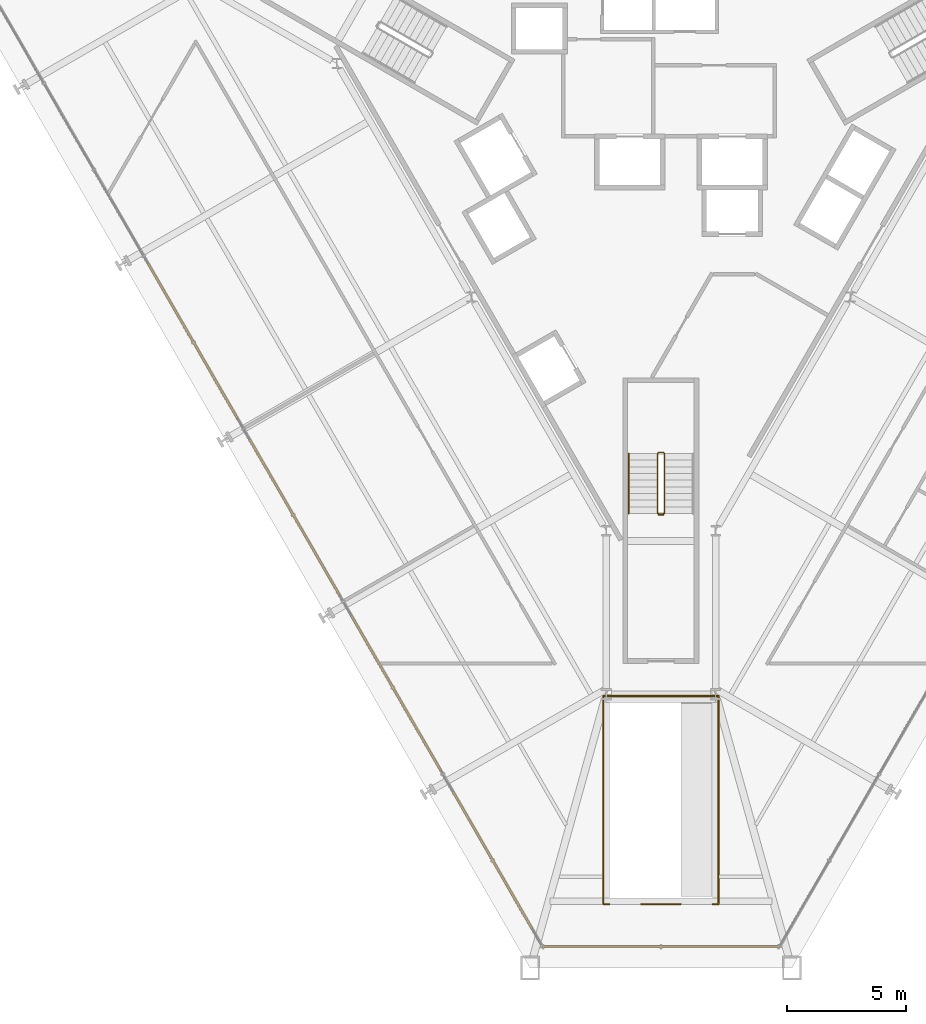
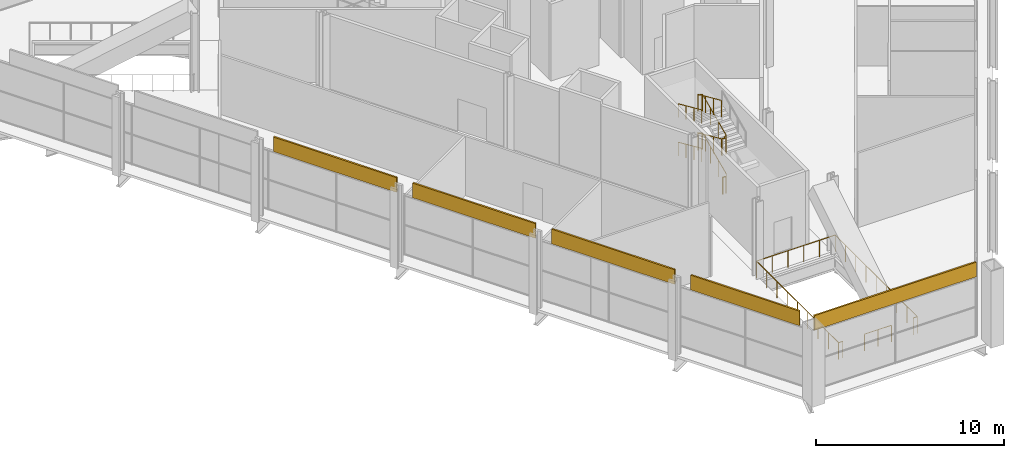
# One storey, part 16 of 20: 7 railings, 5 coverings.
"""IFC4 building model written with IfcOpenShell, lengths in metres."""

from ifc_helpers import new_model, si_unit, direction, frame, origin, origin_2d, place, context, subcontext, project, spatial, rectangle, circle, extrude, material, layer, layer_set, type_object, element, save


model = new_model("IFC4")

# Units and contexts
model_context = context("Model", 3, precision=1e-05, world=origin(), true_north=direction((0.0, 1.0)))
body_context = subcontext(model_context, "Body", "Model", "MODEL_VIEW")
ifc_project = project(units=[si_unit("LENGTHUNIT", "METRE"), si_unit("AREAUNIT", "SQUARE_METRE"), si_unit("VOLUMEUNIT", "CUBIC_METRE"), si_unit("PLANEANGLEUNIT", "RADIAN"), si_unit("MASSUNIT", "GRAM", prefix="KILO")], contexts=[model_context])

# Site, building, storey
site_placement = place(None, origin())
site = spatial("IfcSite", under=ifc_project, at=site_placement, CompositionType="ELEMENT")
building_placement = place(site_placement, origin())
building = spatial("IfcBuilding", under=site, at=building_placement, Name="Verrane Prism Tower", CompositionType="ELEMENT")
storey_placement = place(building_placement, frame((0.0, 0.0, 17.39990234375)))
storey = spatial("IfcBuildingStorey", under=building, at=storey_placement, Name="L02", CompositionType="ELEMENT", Elevation=17.39990234375)

# Coverings
ifc_material_1 = material(Name="Limestone cladding", Category="masonry")
ifc_layer = layer(ifc_material_1, 0.10009765625)
ifc_layer_set = layer_set([ifc_layer], Name="FA-100 stone fascia panel")
covering_type = type_object("IfcCoveringType", Name="FA-100 stone fascia panel", PredefinedType="CLADDING", material=ifc_layer_set)
covering_1_placement = place(storey_placement, frame((-19.6904296875, -6.43505859375, 3.89013671875), z_axis=(0.0, 0.0, 1.0), x_axis=(0.500000118955, -0.866025335106, 0.0)))
element("IfcCovering", 1, at=covering_1_placement, inside=storey, type_object=covering_type, Name="Stone fascia L02 4.3", PredefinedType="CLADDING", context=body_context, shape_type="SweptSolid", body=[
    extrude(rectangle(XDim=7.55712890625, YDim=0.10009765625, at=origin_2d()), origin(), (0.0, 0.0, 1.0), 0.949951171875),
])
covering_2_placement = place(storey_placement, frame((-15.415283203125, -13.83984375, 3.89013671875), z_axis=(0.0, 0.0, 1.0), x_axis=(0.500000118955, -0.866025335106, 0.0)))
element("IfcCovering", 2, at=covering_2_placement, inside=storey, type_object=covering_type, Name="Stone fascia L02 4.4", PredefinedType="CLADDING", context=body_context, shape_type="SweptSolid", body=[
    extrude(rectangle(XDim=7.543701171875, YDim=0.10009765625, at=origin_2d()), origin(), (0.0, 0.0, 1.0), 0.949951171875),
])
covering_3_placement = place(storey_placement, frame((-11.14013671875, -21.244873046875, 3.89013671875), z_axis=(0.0, 0.0, 1.0), x_axis=(0.500000118955, -0.866025335106, 0.0)))
element("IfcCovering", 3, at=covering_3_placement, inside=storey, type_object=covering_type, Name="Stone fascia L02 4.5", PredefinedType="CLADDING", context=body_context, shape_type="SweptSolid", body=[
    extrude(rectangle(XDim=7.55712890625, YDim=0.10009765625, at=origin_2d()), origin(), (0.0, 0.0, 1.0), 0.949951171875),
])
covering_4_placement = place(storey_placement, frame((-7.081787109375, -28.27392578125, 3.89013671875), z_axis=(0.0, 0.0, 1.0), x_axis=(0.500000118955, -0.866025335106, 0.0)))
element("IfcCovering", 4, at=covering_4_placement, inside=storey, type_object=covering_type, Name="Stone fascia L02 4.6", PredefinedType="CLADDING", context=body_context, shape_type="SweptSolid", body=[
    extrude(rectangle(XDim=6.67578125, YDim=0.10009765625, at=origin_2d()), origin(), (0.0, 0.0, 1.0), 0.949951171875),
])
covering_5_placement = place(storey_placement, frame((0.0, -31.913818359375, 3.89013671875), z_axis=(0.0, 0.0, 1.0), x_axis=(1.0, 0.0, 0.0)))
element("IfcCovering", 5, at=covering_5_placement, inside=storey, type_object=covering_type, Name="Stone fascia L02 5.1", PredefinedType="CLADDING", context=body_context, shape_type="SweptSolid", body=[
    extrude(rectangle(XDim=9.960693359375, YDim=0.10009765625, at=origin_2d()), origin(), (0.0, 0.0, 1.0), 0.949951171875),
])

# Railings
ifc_material_2 = material(Name="Stainless steel and laminated glass", Category="steel")
railing_type_1 = type_object("IfcRailingType", Name="GR-1100 glass and steel guard", PredefinedType="GUARDRAIL", material=ifc_material_2)
railing_1_placement = place(storey_placement, frame((-2.419921875, -21.3701171875, 0.0)))
element("IfcRailing", 6, at=railing_1_placement, inside=storey, type_object=railing_type_1, Name="Guard EW3 L02 1", PredefinedType="GUARDRAIL", context=body_context, shape_type="SweptSolid", body=[
    extrude(circle(Radius=0.02392578125, at=origin_2d()), frame((0.0, 0.0, 1.076171875), z_axis=(0.0, -1.0, 0.0), x_axis=(1.0, 0.0, 0.0)), (0.0, 0.0, 1.0), 8.75),
    extrude(circle(Radius=0.02392578125, at=origin_2d()), frame((0.0, -8.75, 1.076171875), z_axis=(1.0, 0.0, 0.0), x_axis=(0.0, 1.0, 0.0)), (0.0, 0.0, 1.0), 0.25),
    extrude(circle(Radius=0.02099609375, at=origin_2d()), origin(), (0.0, 0.0, 1.0), 1.052001953125),
    extrude(circle(Radius=0.02099609375, at=origin_2d()), frame((0.0, -1.09375, 0.0)), (0.0, 0.0, 1.0), 1.052001953125),
    extrude(circle(Radius=0.02099609375, at=origin_2d()), frame((0.0, -2.1875, 0.0)), (0.0, 0.0, 1.0), 1.052001953125),
    extrude(circle(Radius=0.02099609375, at=origin_2d()), frame((0.0, -3.28125, 0.0)), (0.0, 0.0, 1.0), 1.052001953125),
    extrude(circle(Radius=0.02099609375, at=origin_2d()), frame((0.0, -4.375, 0.0)), (0.0, 0.0, 1.0), 1.052001953125),
    extrude(circle(Radius=0.02099609375, at=origin_2d()), frame((0.0, -5.46875, 0.0)), (0.0, 0.0, 1.0), 1.052001953125),
    extrude(circle(Radius=0.02099609375, at=origin_2d()), frame((0.0, -6.5625, 0.0)), (0.0, 0.0, 1.0), 1.052001953125),
    extrude(circle(Radius=0.02099609375, at=origin_2d()), frame((0.0, -7.65625, 0.0)), (0.0, 0.0, 1.0), 1.052001953125),
    extrude(circle(Radius=0.02099609375, at=origin_2d()), frame((0.0, -8.75, 0.0)), (0.0, 0.0, 1.0), 1.052001953125),
    extrude(circle(Radius=0.02099609375, at=origin_2d()), frame((0.25, -8.75, 0.0)), (0.0, 0.0, 1.0), 1.052001953125),
])
railing_2_placement = place(storey_placement, frame((-0.830078125, -30.1201171875, 0.0)))
element("IfcRailing", 7, at=railing_2_placement, inside=storey, type_object=railing_type_1, Name="Guard EW3 L02 2", PredefinedType="GUARDRAIL", context=body_context, shape_type="SweptSolid", body=[
    extrude(circle(Radius=0.02392578125, at=origin_2d()), frame((0.0, 0.0, 1.076171875), z_axis=(1.0, 0.0, 0.0), x_axis=(0.0, 1.0, 0.0)), (0.0, 0.0, 1.0), 1.66015625),
    extrude(circle(Radius=0.02099609375, at=origin_2d()), origin(), (0.0, 0.0, 1.0), 1.052001953125),
    extrude(circle(Radius=0.02099609375, at=origin_2d()), frame((0.830078125, 0.0, 0.0)), (0.0, 0.0, 1.0), 1.052001953125),
    extrude(circle(Radius=0.02099609375, at=origin_2d()), frame((1.66015625, 0.0, 0.0)), (0.0, 0.0, 1.0), 1.052001953125),
])
railing_3_placement = place(storey_placement, frame((2.169921875, -30.1201171875, 0.0)))
element("IfcRailing", 8, at=railing_3_placement, inside=storey, type_object=railing_type_1, Name="Guard EW3 L02 3", PredefinedType="GUARDRAIL", context=body_context, shape_type="SweptSolid", body=[
    extrude(circle(Radius=0.02392578125, at=origin_2d()), frame((0.0, 0.0, 1.076171875), z_axis=(1.0, 0.0, 0.0), x_axis=(0.0, 1.0, 0.0)), (0.0, 0.0, 1.0), 0.25),
    extrude(circle(Radius=0.02392578125, at=origin_2d()), frame((0.25, 0.0, 1.076171875), z_axis=(0.0, 1.0, 0.0), x_axis=(-1.0, 0.0, 0.0)), (0.0, 0.0, 1.0), 8.75),
    extrude(circle(Radius=0.02392578125, at=origin_2d()), frame((0.25, 8.75, 1.076171875), z_axis=(-1.0, 0.0, 0.0), x_axis=(0.0, -1.0, 0.0)), (0.0, 0.0, 1.0), 4.83984375),
    extrude(circle(Radius=0.02099609375, at=origin_2d()), origin(), (0.0, 0.0, 1.0), 1.052001953125),
    extrude(circle(Radius=0.02099609375, at=origin_2d()), frame((0.25, 0.0, 0.0)), (0.0, 0.0, 1.0), 1.052001953125),
    extrude(circle(Radius=0.02099609375, at=origin_2d()), frame((0.25, 1.09375, 0.0)), (0.0, 0.0, 1.0), 1.052001953125),
    extrude(circle(Radius=0.02099609375, at=origin_2d()), frame((0.25, 2.1875, 0.0)), (0.0, 0.0, 1.0), 1.052001953125),
    extrude(circle(Radius=0.02099609375, at=origin_2d()), frame((0.25, 3.28125, 0.0)), (0.0, 0.0, 1.0), 1.052001953125),
    extrude(circle(Radius=0.02099609375, at=origin_2d()), frame((0.25, 4.375, 0.0)), (0.0, 0.0, 1.0), 1.052001953125),
    extrude(circle(Radius=0.02099609375, at=origin_2d()), frame((0.25, 5.46875, 0.0)), (0.0, 0.0, 1.0), 1.052001953125),
    extrude(circle(Radius=0.02099609375, at=origin_2d()), frame((0.25, 6.5625, 0.0)), (0.0, 0.0, 1.0), 1.052001953125),
    extrude(circle(Radius=0.02099609375, at=origin_2d()), frame((0.25, 7.65625, 0.0)), (0.0, 0.0, 1.0), 1.052001953125),
    extrude(circle(Radius=0.02099609375, at=origin_2d()), frame((0.25, 8.75, 0.0)), (0.0, 0.0, 1.0), 1.052001953125),
    extrude(circle(Radius=0.02099609375, at=origin_2d()), frame((-0.718017578125, 8.75, 0.0)), (0.0, 0.0, 1.0), 1.052001953125),
    extrude(circle(Radius=0.02099609375, at=origin_2d()), frame((-1.68603515625, 8.75, 0.0)), (0.0, 0.0, 1.0), 1.052001953125),
    extrude(circle(Radius=0.02099609375, at=origin_2d()), frame((-2.65380859375, 8.75, 0.0)), (0.0, 0.0, 1.0), 1.052001953125),
    extrude(circle(Radius=0.02099609375, at=origin_2d()), frame((-3.621826171875, 8.75, 0.0)), (0.0, 0.0, 1.0), 1.052001953125),
    extrude(circle(Radius=0.02099609375, at=origin_2d()), frame((-4.58984375, 8.75, 0.0)), (0.0, 0.0, 1.0), 1.052001953125),
])
ifc_material_3 = material(Name="Steel A36 rail and posts, no infill", Category="steel")
railing_type_2 = type_object("IfcRailingType", Name="Stair guard 1100 steel rail and posts", PredefinedType="GUARDRAIL", material=ifc_material_3)
railing_4_placement = place(storey_placement, frame((0.14990234375, -13.699951171875, 0.125)))
element("IfcRailing", 9, at=railing_4_placement, inside=storey, type_object=railing_type_2, Name="Stair 3 guard", PredefinedType="GUARDRAIL", context=body_context, shape_type="SweptSolid", body=[
    extrude(circle(Radius=0.02392578125, at=origin_2d()), frame((0.0, 0.0, 1.076171875), z_axis=(0.0, 0.913139058521, 0.407648205936), x_axis=(-1.0, 0.0, 0.0)), (0.0, 0.0, 1.0), 2.759765625),
    extrude(circle(Radius=0.02392578125, at=origin_2d()), frame((0.0, 2.52001953125, 2.201171875), z_axis=(-0.705375805398, 0.708833529934, 0.0), x_axis=(-0.708833529934, -0.705375805398, 0.0)), (0.0, 0.0, 1.0), 0.070556640625),
    extrude(circle(Radius=0.02392578125, at=origin_2d()), frame((-0.0498046875, 2.570068359375, 2.201171875), z_axis=(-1.0, 0.0, 0.0), x_axis=(0.0, -1.0, 0.0)), (0.0, 0.0, 1.0), 0.2001953125),
    extrude(circle(Radius=0.02392578125, at=origin_2d()), frame((-0.25, 2.570068359375, 2.201171875), z_axis=(-0.346918206498, -0.348618785942, 0.870696675133), x_axis=(0.708833529934, -0.705375805398, 0.0)), (0.0, 0.0, 1.0), 0.1435546875),
    extrude(circle(Radius=0.02392578125, at=origin_2d()), frame((-0.2998046875, 2.52001953125, 2.326171875), z_axis=(0.0, -0.913139058521, 0.407648205936), x_axis=(1.0, 0.0, 0.0)), (0.0, 0.0, 1.0), 2.759765625),
    extrude(circle(Radius=0.02392578125, at=origin_2d()), frame((-0.2998046875, 0.0, 3.451171875), z_axis=(0.98054382908, -0.196300278283, 0.0), x_axis=(0.196300278283, 0.98054382908, 0.0)), (0.0, 0.0, 1.0), 0.2548828125),
    extrude(circle(Radius=0.02392578125, at=origin_2d()), frame((-0.0498046875, -0.050048828125, 3.451171875), z_axis=(-1.0, 0.0, 0.0), x_axis=(0.0, -1.0, 0.0)), (0.0, 0.0, 1.0), 0.2001953125),
    extrude(circle(Radius=0.02392578125, at=origin_2d()), frame((-0.25, -0.050048828125, 3.451171875), z_axis=(0.880424233579, 0.176256804574, 0.440212116789), x_axis=(-0.196300278283, 0.98054382908, 0.0)), (0.0, 0.0, 1.0), 0.283935546875),
    extrude(circle(Radius=0.02392578125, at=origin_2d()), frame((0.0, 0.0, 3.576171875), z_axis=(0.0, 0.913139058521, 0.407648205936), x_axis=(-1.0, 0.0, 0.0)), (0.0, 0.0, 1.0), 2.759765625),
    extrude(circle(Radius=0.02392578125, at=origin_2d()), frame((0.0, 2.52001953125, 4.701171875), z_axis=(-0.705375805398, 0.708833529934, 0.0), x_axis=(-0.708833529934, -0.705375805398, 0.0)), (0.0, 0.0, 1.0), 0.070556640625),
    extrude(circle(Radius=0.02392578125, at=origin_2d()), frame((-0.0498046875, 2.570068359375, 4.701171875), z_axis=(-1.0, 0.0, 0.0), x_axis=(0.0, -1.0, 0.0)), (0.0, 0.0, 1.0), 0.2001953125),
    extrude(circle(Radius=0.02392578125, at=origin_2d()), frame((-0.25, 2.570068359375, 4.701171875), z_axis=(-0.346918206498, -0.348618785942, 0.870696675133), x_axis=(0.708833529934, -0.705375805398, 0.0)), (0.0, 0.0, 1.0), 0.1435546875),
    extrude(circle(Radius=0.02392578125, at=origin_2d()), frame((-0.2998046875, 2.52001953125, 4.826171875), z_axis=(0.0, -0.913139058521, 0.407648205936), x_axis=(1.0, 0.0, 0.0)), (0.0, 0.0, 1.0), 2.759765625),
    extrude(circle(Radius=0.02099609375, at=origin_2d()), origin(), (0.0, 0.0, 1.0), 1.052001953125),
    extrude(circle(Radius=0.02099609375, at=origin_2d()), frame((0.0, 0.840087890625, 0.375)), (0.0, 0.0, 1.0), 1.052001953125),
    extrude(circle(Radius=0.02099609375, at=origin_2d()), frame((0.0, 1.679931640625, 0.75)), (0.0, 0.0, 1.0), 1.052001953125),
    extrude(circle(Radius=0.02099609375, at=origin_2d()), frame((0.0, 2.52001953125, 1.125)), (0.0, 0.0, 1.0), 1.052001953125),
    extrude(circle(Radius=0.02099609375, at=origin_2d()), frame((-0.0498046875, 2.570068359375, 1.125)), (0.0, 0.0, 1.0), 1.052001953125),
    extrude(circle(Radius=0.02099609375, at=origin_2d()), frame((-0.25, 2.570068359375, 1.125)), (0.0, 0.0, 1.0), 1.052001953125),
    extrude(circle(Radius=0.02099609375, at=origin_2d()), frame((-0.2998046875, 2.52001953125, 1.25)), (0.0, 0.0, 1.0), 1.052001953125),
    extrude(circle(Radius=0.02099609375, at=origin_2d()), frame((-0.2998046875, 1.679931640625, 1.625)), (0.0, 0.0, 1.0), 1.052001953125),
    extrude(circle(Radius=0.02099609375, at=origin_2d()), frame((-0.2998046875, 0.840087890625, 2.0)), (0.0, 0.0, 1.0), 1.052001953125),
    extrude(circle(Radius=0.02099609375, at=origin_2d()), frame((-0.2998046875, 0.0, 2.375)), (0.0, 0.0, 1.0), 1.052001953125),
    extrude(circle(Radius=0.02099609375, at=origin_2d()), frame((-0.0498046875, -0.050048828125, 2.375)), (0.0, 0.0, 1.0), 1.052001953125),
    extrude(circle(Radius=0.02099609375, at=origin_2d()), frame((-0.25, -0.050048828125, 2.375)), (0.0, 0.0, 1.0), 1.052001953125),
    extrude(circle(Radius=0.02099609375, at=origin_2d()), frame((0.0, 0.0, 2.5)), (0.0, 0.0, 1.0), 1.052001953125),
    extrude(circle(Radius=0.02099609375, at=origin_2d()), frame((0.0, 0.840087890625, 2.875)), (0.0, 0.0, 1.0), 1.052001953125),
    extrude(circle(Radius=0.02099609375, at=origin_2d()), frame((0.0, 1.679931640625, 3.25)), (0.0, 0.0, 1.0), 1.052001953125),
    extrude(circle(Radius=0.02099609375, at=origin_2d()), frame((0.0, 2.52001953125, 3.625)), (0.0, 0.0, 1.0), 1.052001953125),
    extrude(circle(Radius=0.02099609375, at=origin_2d()), frame((-0.0498046875, 2.570068359375, 3.625)), (0.0, 0.0, 1.0), 1.052001953125),
    extrude(circle(Radius=0.02099609375, at=origin_2d()), frame((-0.25, 2.570068359375, 3.625)), (0.0, 0.0, 1.0), 1.052001953125),
    extrude(circle(Radius=0.02099609375, at=origin_2d()), frame((-0.2998046875, 2.52001953125, 3.75)), (0.0, 0.0, 1.0), 1.052001953125),
    extrude(circle(Radius=0.02099609375, at=origin_2d()), frame((-0.2998046875, 1.679931640625, 4.125)), (0.0, 0.0, 1.0), 1.052001953125),
    extrude(circle(Radius=0.02099609375, at=origin_2d()), frame((-0.2998046875, 0.840087890625, 4.5)), (0.0, 0.0, 1.0), 1.052001953125),
    extrude(circle(Radius=0.02099609375, at=origin_2d()), frame((-0.2998046875, 0.0, 4.875)), (0.0, 0.0, 1.0), 1.052001953125),
])
railing_5_placement = place(storey_placement, frame((0.10009765625, -13.75, 0.0)))
element("IfcRailing", 10, at=railing_5_placement, inside=storey, type_object=railing_type_2, Name="Stair 3 guard", PredefinedType="GUARDRAIL", context=body_context, shape_type="SweptSolid", body=[
    extrude(circle(Radius=0.02392578125, at=origin_2d()), frame((0.0, 0.0, 1.076171875), z_axis=(-1.0, 0.0, 0.0), x_axis=(0.0, -1.0, 0.0)), (0.0, 0.0, 1.0), 0.2001953125),
    extrude(circle(Radius=0.02099609375, at=origin_2d()), origin(), (0.0, 0.0, 1.0), 1.052001953125),
    extrude(circle(Radius=0.02099609375, at=origin_2d()), frame((-0.2001953125, 0.0, 0.0)), (0.0, 0.0, 1.0), 1.052001953125),
])
ifc_material_4 = material(Name="Steel A36 tube", Category="steel")
railing_type_3 = type_object("IfcRailingType", Name="Stair handrail 900 steel tube", PredefinedType="HANDRAIL", material=ifc_material_4)
for number, where, name in (
    (11, (-1.35009765625, -11.179931640625, 1.375), "Stair 3 handrail"),
    (12, (-1.35009765625, -11.179931640625, 3.875), "Stair 3 handrail"),
):
    element("IfcRailing", number, at=place(storey_placement, frame(where)), inside=storey, type_object=railing_type_3, Name=name, PredefinedType="HANDRAIL", context=body_context, shape_type="SweptSolid", body=[
        extrude(circle(Radius=0.02392578125, at=origin_2d()), frame((0.0, 0.0, 0.8759765625), z_axis=(0.0, -0.913139058521, 0.407648205936), x_axis=(1.0, 0.0, 0.0)), (0.0, 0.0, 1.0), 2.759765625),
        extrude(circle(Radius=0.02099609375, at=origin_2d()), origin(), (0.0, 0.0, 1.0), 0.851806640625),
        extrude(circle(Radius=0.02099609375, at=origin_2d()), frame((0.0, -0.840087890625, 0.375)), (0.0, 0.0, 1.0), 0.851806640625),
        extrude(circle(Radius=0.02099609375, at=origin_2d()), frame((0.0, -1.679931640625, 0.75)), (0.0, 0.0, 1.0), 0.851806640625),
        extrude(circle(Radius=0.02099609375, at=origin_2d()), frame((0.0, -2.52001953125, 1.125)), (0.0, 0.0, 1.0), 0.851806640625),
    ])

save(model, "model.ifc")
